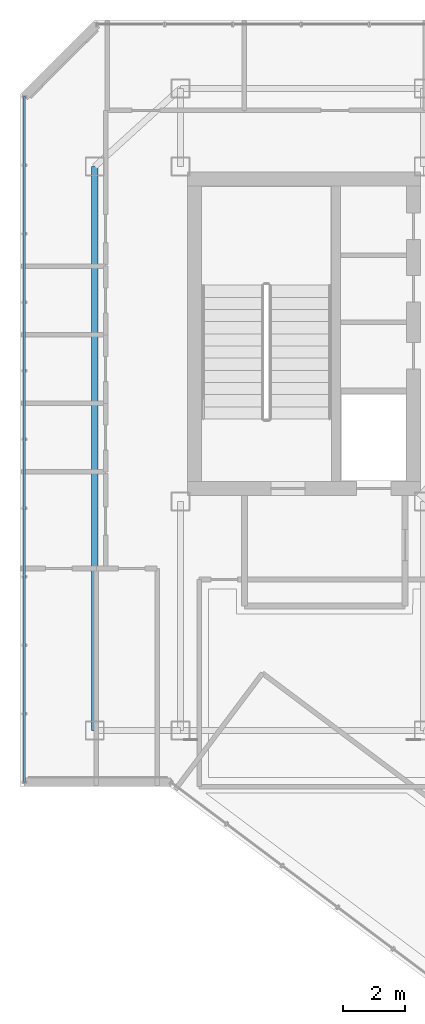
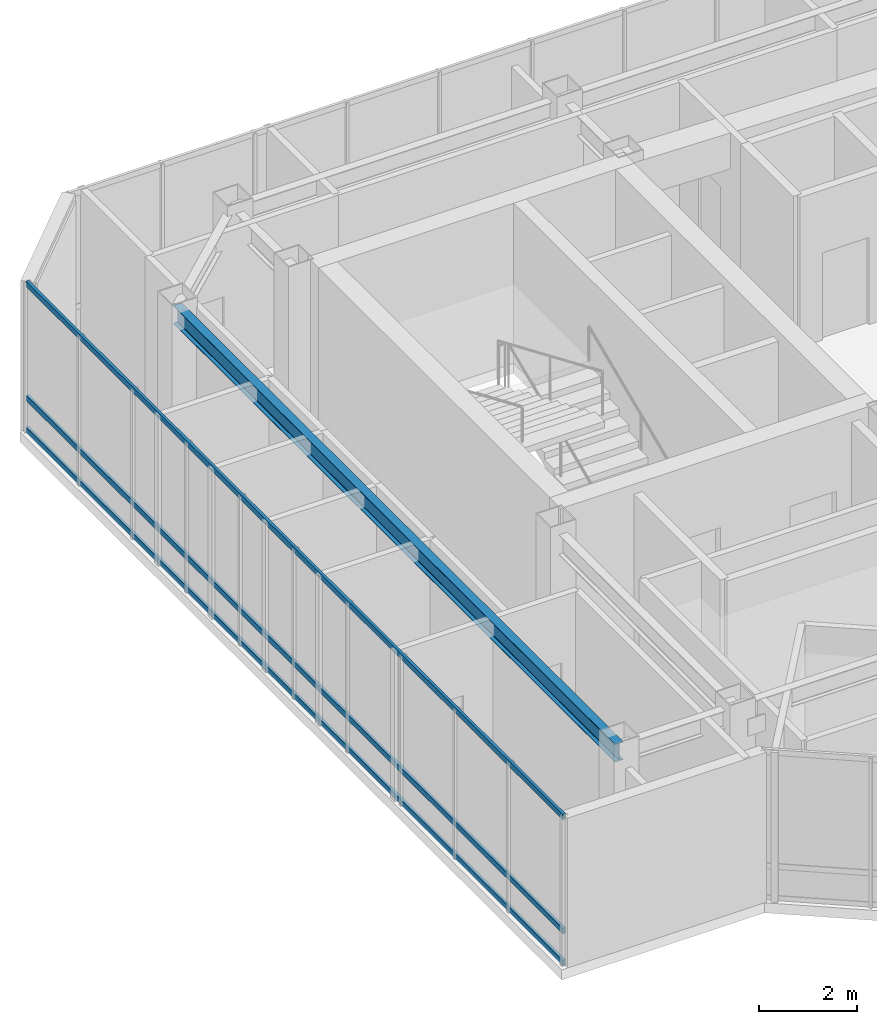
# One storey, part 12 of 30: 3 members, 1 beam, 1 element without a shape of its own.
"""IFC4 building model written with IfcOpenShell, lengths in metres."""

from ifc_helpers import new_model, si_unit, direction, frame, origin, origin_2d, place, context, subcontext, project, spatial, hollow_rectangle, i_section, extrude, material, layer, layer_set, material_profile, profile_set, type_object, element, aggregate, save


model = new_model("IFC4")

# Units and contexts
model_context = context("Model", 3, precision=1e-05, world=origin(), true_north=direction((0.0, 1.0)))
body_context = subcontext(model_context, "Body", "Model", "MODEL_VIEW")
ifc_project = project(units=[si_unit("LENGTHUNIT", "METRE"), si_unit("AREAUNIT", "SQUARE_METRE"), si_unit("VOLUMEUNIT", "CUBIC_METRE"), si_unit("PLANEANGLEUNIT", "RADIAN"), si_unit("MASSUNIT", "GRAM", prefix="KILO")], contexts=[model_context])

# Site, building, storey
site_placement = place(None, origin())
site = spatial("IfcSite", under=ifc_project, at=site_placement, CompositionType="ELEMENT")
building_placement = place(site_placement, origin())
building = spatial("IfcBuilding", under=site, at=building_placement, Name="Hatsunagi Terrace Concourse", CompositionType="ELEMENT")
storey_placement = place(building_placement, frame((0.0, 0.0, 273.949951171875)))
storey = spatial("IfcBuildingStorey", under=building, at=storey_placement, Name="L72", CompositionType="ELEMENT", Elevation=273.949951171875)

# Curtain wall, members
ifc_material_1 = material(Name="Anodised Aluminium Alloy 6063-T5", Category="aluminium")
ifc_layer = layer(ifc_material_1, 0.199951171875)
ifc_layer_set = layer_set([ifc_layer], Name="CrownWintergarden_CW06")
curtain_wall_type = type_object("IfcCurtainWallType", Name="CrownWintergarden_CW06", PredefinedType="NOTDEFINED", material=ifc_layer_set)
curtain_wall_placement = place(storey_placement, origin())
curtain_wall = element("IfcCurtainWall", 1, at=curtain_wall_placement, inside=storey, type_object=curtain_wall_type, Name="Unitised Curtain Wall CW-06 CW-L72-07", PredefinedType="NOTDEFINED")
ifc_material_2 = material(Name="Anodised Aluminium Alloy 6063-T5", Category="aluminium")
ifc_material_profile_1 = material_profile(ifc_material_2, hollow_rectangle(XDim=0.06494140625, YDim=0.139892578125, WallThickness=0.00390625, at=origin_2d()), Name="ALU-TRN-140x65x4")
ifc_profile_set_1 = profile_set([ifc_material_profile_1], Name="Anodised Aluminium Alloy 6063-T5")
member_type = type_object("IfcMemberType", Name="CurtainWallTransom_140x65", PredefinedType="USERDEFINED", material=ifc_profile_set_1)
member_1_placement = place(storey_placement, frame((20.5400390625, 23.5400390625, 0.050048828125), z_axis=(0.0, 1.0, 0.0), x_axis=(-1.0, 0.0, 0.0)))
member_1 = element("IfcMember", 2, at=member_1_placement, type_object=member_type, Name="Curtain Wall Transom TRN-02", ObjectType="TRANSOM", PredefinedType="USERDEFINED", context=body_context, shape_type="SweptSolid", body=[
    extrude(hollow_rectangle(XDim=0.06494140625, YDim=0.139892578125, WallThickness=0.00390625, at=origin_2d()), origin(), (0.0, 0.0, 1.0), 22.001953125),
])
member_2_placement = place(storey_placement, frame((20.5400390625, 23.5400390625, 0.85009765625), z_axis=(0.0, 1.0, 0.0), x_axis=(-1.0, 0.0, 0.0)))
member_2 = element("IfcMember", 3, at=member_2_placement, type_object=member_type, Name="Curtain Wall Transom TRN-02", ObjectType="TRANSOM", PredefinedType="USERDEFINED", context=body_context, shape_type="SweptSolid", body=[
    extrude(hollow_rectangle(XDim=0.06494140625, YDim=0.139892578125, WallThickness=0.00390625, at=origin_2d()), origin(), (0.0, 0.0, 1.0), 22.001953125),
])
member_3_placement = place(storey_placement, frame((20.5400390625, 23.5400390625, 3.699951171875), z_axis=(0.0, 1.0, 0.0), x_axis=(-1.0, 0.0, 0.0)))
member_3 = element("IfcMember", 4, at=member_3_placement, type_object=member_type, Name="Curtain Wall Transom TRN-02", ObjectType="TRANSOM", PredefinedType="USERDEFINED", context=body_context, shape_type="SweptSolid", body=[
    extrude(hollow_rectangle(XDim=0.06494140625, YDim=0.139892578125, WallThickness=0.00390625, at=origin_2d()), origin(), (0.0, 0.0, 1.0), 22.001953125),
])
aggregate(curtain_wall, [member_1, member_2, member_3])

# Beam
ifc_material_3 = material(Name="Steel SN490B", Category="steel")
ifc_material_profile_2 = material_profile(ifc_material_3, i_section(OverallWidth=0.199951171875, OverallDepth=0.449951171875, WebThickness=0.009033203125, FlangeThickness=0.013916015625, FilletRadius=0.01611328125, at=origin_2d()), Name="H-450x200x9x14")
ifc_profile_set_2 = profile_set([ifc_material_profile_2], Name="Steel SN490B")
beam_type = type_object("IfcBeamType", Name="PerimeterSpandrel_H_450x200", PredefinedType="SPANDREL", material=ifc_profile_set_2)
beam_placement = place(storey_placement, frame((22.800048828125, 25.199951171875, 3.525146484375), z_axis=(0.0, 1.0, 0.0), x_axis=(-1.0, 0.0, 0.0)))
element("IfcBeam", 5, at=beam_placement, inside=storey, type_object=beam_type, Name="Beam SP-02 BM-L72-CWNS", PredefinedType="SPANDREL", context=body_context, shape_type="SweptSolid", body=[
    extrude(i_section(OverallWidth=0.199951171875, OverallDepth=0.449951171875, WebThickness=0.009033203125, FlangeThickness=0.013916015625, FilletRadius=0.01611328125, at=origin_2d()), origin(), (0.0, 0.0, 1.0), 18.10009765625),
])

save(model, "model.ifc")
